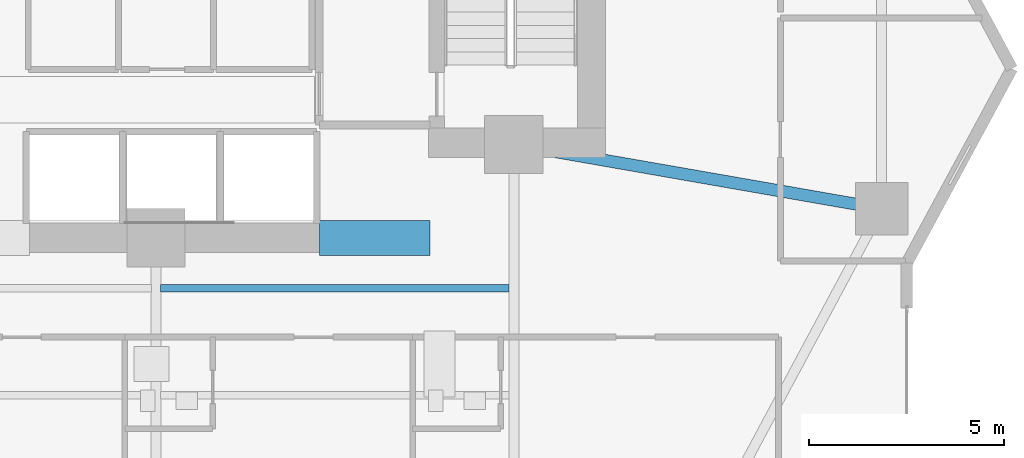
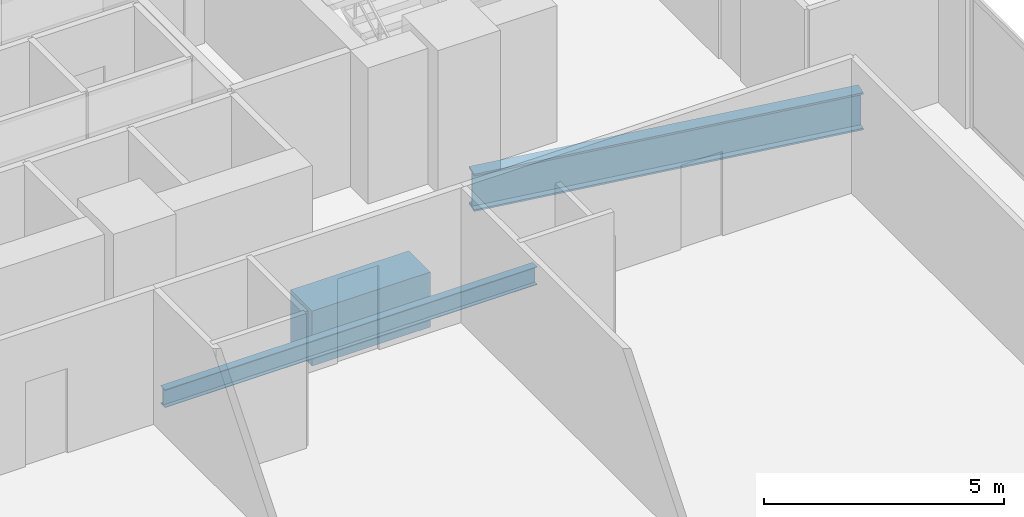
# One storey, part 12 of 28: 3 beams.
"""IFC4 building model written with IfcOpenShell, lengths in metres."""

from ifc_helpers import new_model, si_unit, direction, frame, origin, origin_2d, place, context, subcontext, project, spatial, rectangle, i_section, extrude, material, material_profile, profile_set, type_object, element, save


model = new_model("IFC4")

# Units and contexts
model_context = context("Model", 3, precision=1e-05, world=origin(), true_north=direction((0.0, 1.0)))
body_context = subcontext(model_context, "Body", "Model", "MODEL_VIEW")
ifc_project = project(units=[si_unit("LENGTHUNIT", "METRE"), si_unit("AREAUNIT", "SQUARE_METRE"), si_unit("VOLUMEUNIT", "CUBIC_METRE"), si_unit("PLANEANGLEUNIT", "RADIAN"), si_unit("MASSUNIT", "GRAM", prefix="KILO")], contexts=[model_context])

# Site, building, storey
site_placement = place(None, origin())
site = spatial("IfcSite", under=ifc_project, at=site_placement, CompositionType="ELEMENT")
building_placement = place(site_placement, origin())
building = spatial("IfcBuilding", under=site, at=building_placement, Name="Zuhayl Quay Hotel", CompositionType="ELEMENT")
storey_placement = place(building_placement, frame((0.0, 0.0, 99.300048828125)))
storey = spatial("IfcBuildingStorey", under=building, at=storey_placement, Name="L24", CompositionType="ELEMENT", Elevation=99.300048828125)

# Beams
ifc_material_1 = material(Name="Concrete C60/75", Category="concrete")
ifc_material_profile_1 = material_profile(ifc_material_1, rectangle(XDim=0.89990234375, YDim=1.39990234375, at=origin_2d()), Name="RC900X1400")
ifc_profile_set_1 = profile_set([ifc_material_profile_1], Name="Concrete C60/75")
beam_type_1 = type_object("IfcBeamType", Name="BM_CB1_RC900", PredefinedType="T_BEAM", material=ifc_profile_set_1)
beam_1_placement = place(storey_placement, frame((8.800048828125, 2.14990234375, -0.920166015625), z_axis=(1.0, 0.0, 0.0), x_axis=(0.0, 1.0, 0.0)))
element("IfcBeam", 1, at=beam_1_placement, inside=storey, type_object=beam_type_1, Name="L24 Core Coupling Beam SE", PredefinedType="T_BEAM", context=body_context, shape_type="SweptSolid", body=[
    extrude(rectangle(XDim=0.89990234375, YDim=1.39990234375, at=origin_2d()), origin(), (0.0, 0.0, 1.0), 2.849853515625),
])
ifc_material_2 = material(Name="Steel ASTM A992 Grade 50", Category="steel")
ifc_material_profile_2 = material_profile(ifc_material_2, i_section(OverallWidth=0.18994140625, OverallDepth=0.45703125, WebThickness=0.009033203125, FlangeThickness=0.014404296875, at=origin_2d()), Name="W18X50")
ifc_profile_set_2 = profile_set([ifc_material_profile_2], Name="Steel ASTM A992 Grade 50")
beam_type_2 = type_object("IfcBeamType", Name="BM_J2_W18X50", PredefinedType="JOIST", material=ifc_profile_set_2)
beam_2_placement = place(storey_placement, frame((4.718994140625, 0.85009765625, -0.448486328125), z_axis=(1.0, 0.0, 0.0), x_axis=(0.0, 1.0, 0.0)))
element("IfcBeam", 2, at=beam_2_placement, inside=storey, type_object=beam_type_2, Name="L24 Floor Beam FJ_L24_9_3", PredefinedType="JOIST", context=body_context, shape_type="SweptSolid", body=[
    extrude(i_section(OverallWidth=0.18994140625, OverallDepth=0.45703125, WebThickness=0.009033203125, FlangeThickness=0.014404296875, at=origin_2d()), origin(), (0.0, 0.0, 1.0), 8.9619140625),
])
ifc_material_profile_3 = material_profile(ifc_material_2, i_section(OverallWidth=0.31005859375, OverallDepth=0.949951171875, WebThickness=0.0244140625, FlangeThickness=0.0439453125, at=origin_2d()), Name="W36X256")
ifc_profile_set_3 = profile_set([ifc_material_profile_3], Name="Steel ASTM A992 Grade 50")
beam_type_3 = type_object("IfcBeamType", Name="BM_PG1_W36X256", PredefinedType="BEAM", material=ifc_profile_set_3)
beam_3_placement = place(storey_placement, frame((14.243408203125, 4.47265625, -0.695068359375), z_axis=(0.985097302632, -0.171997977741, 0.0), x_axis=(0.171997977741, 0.985097302632, 0.0)))
element("IfcBeam", 3, at=beam_3_placement, inside=storey, type_object=beam_type_3, Name="L24 Floor Beam FG_E_L24_1", PredefinedType="BEAM", context=body_context, shape_type="SweptSolid", body=[
    extrude(i_section(OverallWidth=0.31005859375, OverallDepth=0.949951171875, WebThickness=0.0244140625, FlangeThickness=0.0439453125, at=origin_2d()), origin(), (0.0, 0.0, 1.0), 8.64306640625),
])

save(model, "model.ifc")
